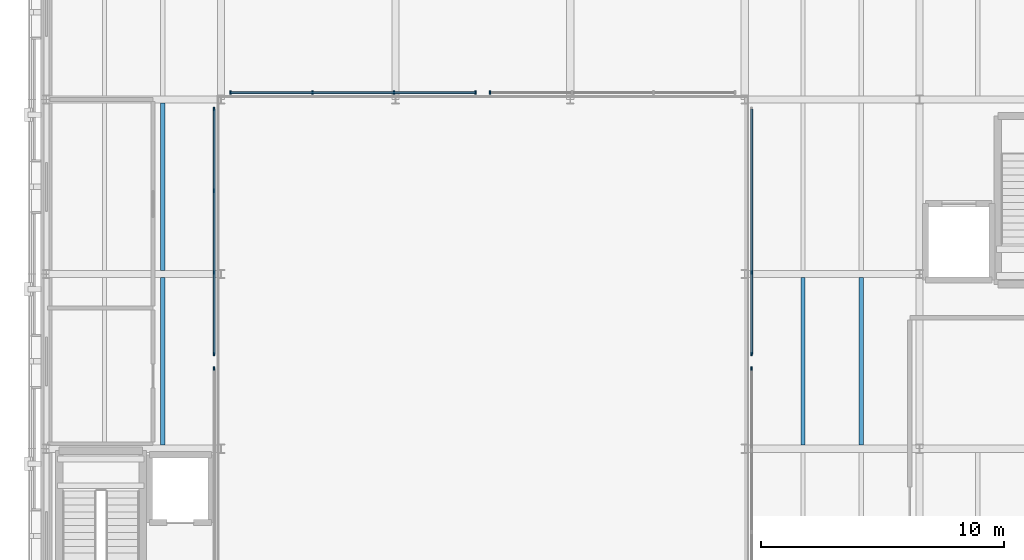
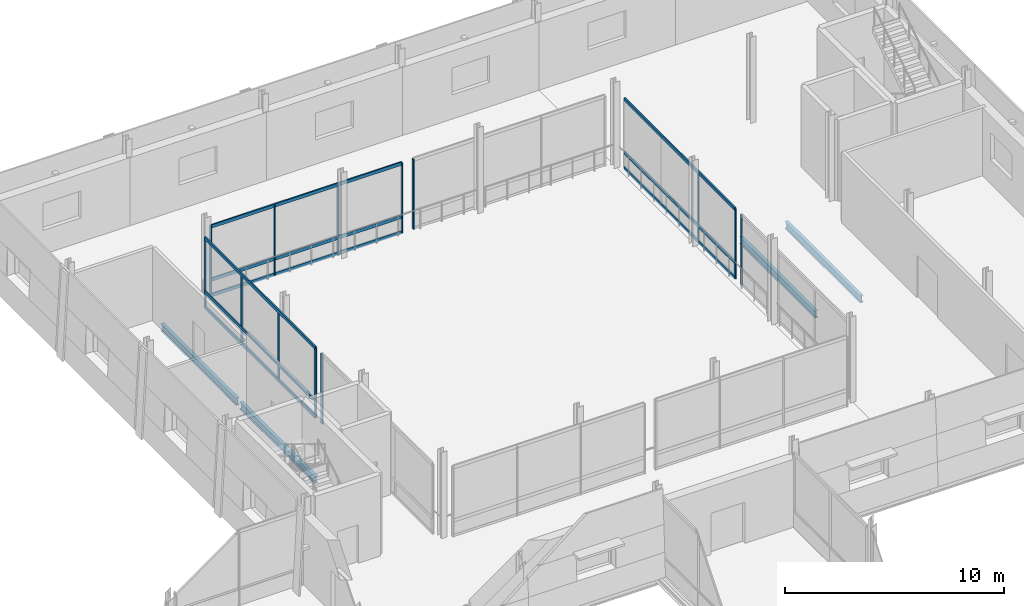
# One storey, part 47 of 121: 22 members, 4 beams, 6 elements without a shape of their own.
"""IFC4 building model written with IfcOpenShell, lengths in metres."""

import ifcopenshell
import ifcopenshell.guid

model = None  # the IFC model being written
_history = None  # IfcOwnerHistory: only IFC2X3 demands one
_inside = {}  # id of a spatial element -> (the spatial element, [elements in it])
_under = {}  # id of a project, library or spatial element -> (it, [spatial elements below it])
_declared = {}  # id of a project -> (the project, [libraries it declares])
_typed = {}  # id of a type object -> (the type object, [elements of that type])
_made_of = {}  # id of a material, layer set ... -> (it, [elements and type objects made of it])


def new_model(schema):
    """Start an empty IFC model of exactly this schema.

    Asked for "IFC4X3", IfcOpenShell would pick the latest addendum, in which some entities
    have other attributes; the version numbers below select the first issue.
    IFC2X3 requires an IfcOwnerHistory on every rooted entity: one is made here for all.
    """
    global model, _history
    if schema == "IFC4X3":
        model = ifcopenshell.file(schema_version=(4, 3, 0, 0))
    else:
        model = ifcopenshell.file(schema=schema)
    _inside.clear()
    _under.clear()
    _declared.clear()
    _typed.clear()
    _made_of.clear()
    _history = None
    if model.schema == "IFC2X3":
        org = make("IfcOrganization", Name="unknown")
        user = make(
            "IfcPersonAndOrganization",
            ThePerson=make("IfcPerson", FamilyName="unknown"),
            TheOrganization=org,
        )
        app = make(
            "IfcApplication",
            ApplicationDeveloper=org,
            Version="unknown",
            ApplicationFullName="unknown",
            ApplicationIdentifier="unknown",
        )
        _history = make(
            "IfcOwnerHistory",
            OwningUser=user,
            OwningApplication=app,
            ChangeAction="ADDED",
            CreationDate=0,
        )
    return model


def make(cls, **values):
    """One entity of the class cls with the attributes given. An attribute that is None is left unset."""
    return model.create_entity(
        cls, **{name: value for name, value in values.items() if value is not None}
    )


def rooted(cls, **values):
    """An entity with a GlobalId (a new one), such as an element, a storey or a relation."""
    return make(cls, GlobalId=ifcopenshell.guid.new(), OwnerHistory=_history, **values)


def si_unit(unit_type, name, prefix=None):
    """IfcSIUnit, for example si_unit("LENGTHUNIT", "METRE", prefix="MILLI")."""
    return make("IfcSIUnit", UnitType=unit_type, Prefix=prefix, Name=name)


def assignment(units):
    """IfcUnitAssignment: the units of a project."""
    return None if units is None else make("IfcUnitAssignment", Units=units)


def point(xyz):
    """IfcCartesianPoint."""
    return None if xyz is None else make("IfcCartesianPoint", Coordinates=xyz)


def direction(xyz):
    """IfcDirection."""
    return None if xyz is None else make("IfcDirection", DirectionRatios=xyz)


def frame(location, z_axis=None, x_axis=None):
    """IfcAxis2Placement3D, a coordinate frame: its origin and axes. An axis left out is left unset."""
    return make(
        "IfcAxis2Placement3D",
        Location=point(location),
        Axis=direction(z_axis),
        RefDirection=direction(x_axis),
    )


def frame_2d(location, x_axis=None):
    """IfcAxis2Placement2D, a coordinate frame in the plane: its origin and x axis."""
    return make(
        "IfcAxis2Placement2D", Location=point(location), RefDirection=direction(x_axis)
    )


def origin():
    """The frame at (0, 0, 0) with its axes left unset."""
    return frame((0.0, 0.0, 0.0))


def origin_2d():
    """The frame at (0, 0) in the plane with its x axis left unset."""
    return frame_2d((0.0, 0.0))


def place(relative_to, where):
    """IfcLocalPlacement: puts the frame where relative to a parent placement (None: the world)."""
    return make(
        "IfcLocalPlacement", PlacementRelTo=relative_to, RelativePlacement=where
    )


def context(
    kind, dimensions, precision=None, world=None, true_north=None, identifier=None
):
    """IfcGeometricRepresentationContext, for example the 3D "Model" context."""
    return make(
        "IfcGeometricRepresentationContext",
        ContextIdentifier=identifier,
        ContextType=kind,
        CoordinateSpaceDimension=dimensions,
        Precision=precision,
        WorldCoordinateSystem=world,
        TrueNorth=true_north,
    )


def subcontext(parent, identifier, kind, view, scale=None):
    """IfcGeometricRepresentationSubContext, for example "Body" below "Model"."""
    return make(
        "IfcGeometricRepresentationSubContext",
        ContextIdentifier=identifier,
        ContextType=kind,
        ParentContext=parent,
        TargetScale=scale,
        TargetView=view,
    )


def project(units=None, contexts=None):
    """IfcProject with its units and contexts."""
    return rooted(
        "IfcProject",
        Name="project",
        RepresentationContexts=contexts,
        UnitsInContext=assignment(units),
    )


def spatial(cls, under=None, at=None, **own):
    """A site, building, storey or space (cls), placed at a placement, below another one or the project."""
    s = rooted(cls, ObjectPlacement=at, **own)
    if under is not None:
        _under.setdefault(under.id(), (under, []))[1].append(s)
    return s


def profile(cls, at=None, kind="AREA", **sizes):
    """A parametric profile (cls). Its sizes go by their IFC names, for example OverallWidth=200.0."""
    return make(cls, ProfileType=kind, Position=at, **sizes)


def rectangle(**sizes):
    """IfcRectangleProfileDef."""
    return profile("IfcRectangleProfileDef", **sizes)


def i_section(**sizes):
    """IfcIShapeProfileDef."""
    return profile("IfcIShapeProfileDef", **sizes)


def extrude(swept, where, along, depth):
    """IfcExtrudedAreaSolid: the profile swept, set in the frame where, extruded along a direction by depth."""
    return make(
        "IfcExtrudedAreaSolid",
        SweptArea=swept,
        Position=where,
        ExtrudedDirection=direction(along),
        Depth=depth,
    )


def shape(context_of_items, identifier, shape_type, items):
    """IfcShapeRepresentation: the items that make up one representation, for example the "Body"."""
    return make(
        "IfcShapeRepresentation",
        ContextOfItems=context_of_items,
        RepresentationIdentifier=identifier,
        RepresentationType=shape_type,
        Items=items,
    )


def material(Name=None, Category=None):
    """IfcMaterial."""
    return make("IfcMaterial", Name=Name, Category=Category)


def layer(
    of_material, thickness, ventilated=None, Name=None, Category=None, Priority=None
):
    """IfcMaterialLayer: one layer of a wall or slab, of a material (None: an air gap)."""
    return make(
        "IfcMaterialLayer",
        Material=of_material,
        LayerThickness=thickness,
        IsVentilated=ventilated,
        Name=Name,
        Category=Category,
        Priority=Priority,
    )


def layer_set(layers, Name=None):
    """IfcMaterialLayerSet."""
    return make("IfcMaterialLayerSet", MaterialLayers=layers, LayerSetName=Name)


def material_profile(
    of_material, cross_section, Name=None, Category=None, Priority=None
):
    """IfcMaterialProfile: a cross section and its material."""
    return make(
        "IfcMaterialProfile",
        Name=Name,
        Material=of_material,
        Profile=cross_section,
        Priority=Priority,
        Category=Category,
    )


def profile_set(profiles, Name=None, composite=None):
    """IfcMaterialProfileSet."""
    return make(
        "IfcMaterialProfileSet",
        Name=Name,
        MaterialProfiles=profiles,
        CompositeProfile=composite,
    )


def made_of(thing, what):
    """Note that an element or type object is made of a material, layer set ...; save() writes the relation."""
    if what is not None:
        _made_of.setdefault(what.id(), (what, []))[1].append(thing)
    return thing


def type_object(cls, material=None, **own):
    """A type object (cls), such as IfcWallType, which elements share."""
    return made_of(rooted(cls, **own), material)


def element(
    cls,
    number,
    at=None,
    inside=None,
    cuts=None,
    type_object=None,
    material=None,
    context=None,
    identifier="Body",
    shape_type=None,
    held_by="IfcProductDefinitionShape",
    body=None,
    shapes=None,
    **own,
):
    """One element of the class cls, such as IfcWall. Its Tag is "e" and its number.

    at: its placement. inside: the storey or other place that contains it. cuts: it is an
    opening in that element (IfcRelVoidsElement). A single representation is given by context,
    identifier, shape_type and body (its items); several are given by shapes. held_by: the class
    of the entity that holds the representations. save() writes the other relations.
    """
    e = rooted(cls, Tag="e%d" % number, ObjectPlacement=at, **own)
    if body is not None:
        shapes = [shape(context, identifier, shape_type, body)]
    if shapes is not None:
        e.Representation = make(held_by, Representations=shapes)
    if inside is not None:
        _inside.setdefault(inside.id(), (inside, []))[1].append(e)
    if cuts is not None:
        rooted(
            "IfcRelVoidsElement", RelatingBuildingElement=cuts, RelatedOpeningElement=e
        )
    if type_object is not None:
        _typed.setdefault(type_object.id(), (type_object, []))[1].append(e)
    return made_of(e, material)


def aggregate(whole, parts):
    """IfcRelAggregates: a whole, such as a stair, and the parts it consists of."""
    return rooted("IfcRelAggregates", RelatingObject=whole, RelatedObjects=parts)


def save(model, path):
    """Write the relations noted so far, then the file.

    IfcRelAggregates (storeys below a building ...), IfcRelContainedInSpatialStructure (elements
    in a storey), IfcRelDefinesByType, IfcRelAssociatesMaterial and IfcRelDeclares: one each for
    every whole, place, type object, material and project.
    """
    for whole, parts in _under.values():
        aggregate(whole, parts)
    for where, things in _inside.values():
        rooted(
            "IfcRelContainedInSpatialStructure",
            RelatedElements=things,
            RelatingStructure=where,
        )
    for kind, things in _typed.values():
        rooted("IfcRelDefinesByType", RelatedObjects=things, RelatingType=kind)
    for what, things in _made_of.values():
        rooted("IfcRelAssociatesMaterial", RelatedObjects=things, RelatingMaterial=what)
    for by, libraries in _declared.values():
        rooted("IfcRelDeclares", RelatingContext=by, RelatedDefinitions=libraries)
    model.write(path)


model = new_model("IFC4")

# Units and contexts
model_context = context("Model", 3, precision=1e-05, world=origin(), true_north=direction((0.0, 1.0)))
body_context = subcontext(model_context, "Body", "Model", "MODEL_VIEW")
ifc_project = project(units=[si_unit("LENGTHUNIT", "METRE"), si_unit("AREAUNIT", "SQUARE_METRE"), si_unit("VOLUMEUNIT", "CUBIC_METRE"), si_unit("PLANEANGLEUNIT", "RADIAN"), si_unit("MASSUNIT", "GRAM", prefix="KILO")], contexts=[model_context])

# Site, building, storey
site_placement = place(None, origin())
site = spatial("IfcSite", under=ifc_project, at=site_placement, CompositionType="ELEMENT")
building_placement = place(site_placement, origin())
building = spatial("IfcBuilding", under=site, at=building_placement, Name="Narikvali Park Central Library", CompositionType="ELEMENT")
storey_placement = place(building_placement, frame((0.0, 0.0, 5.39990234375)))
storey = spatial("IfcBuildingStorey", under=building, at=storey_placement, Name="L01", CompositionType="ELEMENT", Elevation=5.39990234375)

# Beams
ifc_material_1 = material(Name="Steel S355", Category="steel")
ifc_material_profile_1 = material_profile(ifc_material_1, i_section(OverallWidth=0.179931640625, OverallDepth=0.39990234375, WebThickness=0.008544921875, FlangeThickness=0.013427734375, FilletRadius=0.02099609375, at=origin_2d()), Name="IPE 400")
ifc_profile_set_1 = profile_set([ifc_material_profile_1], Name="Steel S355")
beam_type = type_object("IfcBeamType", Name="Composite Floor Joist IPE400", PredefinedType="JOIST", material=ifc_profile_set_1)
beam_1_placement = place(storey_placement, frame((127.199951171875, 93.75, -0.47998046875), z_axis=(0.0, 1.0, 0.0), x_axis=(-1.0, 0.0, 0.0)))
element("IfcBeam", 1, at=beam_1_placement, inside=storey, type_object=beam_type, Name="V3 L01 Composite Joist 2", PredefinedType="JOIST", context=body_context, shape_type="SweptSolid", body=[
    extrude(i_section(OverallWidth=0.179931640625, OverallDepth=0.39990234375, WebThickness=0.008544921875, FlangeThickness=0.013427734375, FilletRadius=0.02099609375, at=origin_2d()), origin(), (0.0, 0.0, 1.0), 6.89990234375),
])
beam_2_placement = place(storey_placement, frame((127.199951171875, 100.949951171875, -0.47998046875), z_axis=(0.0, 1.0, 0.0), x_axis=(-1.0, 0.0, 0.0)))
element("IfcBeam", 2, at=beam_2_placement, inside=storey, type_object=beam_type, Name="V3 L01 Composite Joist 2", PredefinedType="JOIST", context=body_context, shape_type="SweptSolid", body=[
    extrude(i_section(OverallWidth=0.179931640625, OverallDepth=0.39990234375, WebThickness=0.008544921875, FlangeThickness=0.013427734375, FilletRadius=0.02099609375, at=origin_2d()), origin(), (0.0, 0.0, 1.0), 6.900146484375),
])
for number, where, z_axis, x_axis, name in (
    (3, (153.60009765625, 93.75, -0.47998046875), (0.0, 1.0, 0.0), (-1.0, 0.0, 0.0), "V3 L01 Composite Joist 1"),
    (4, (156.0, 93.75, -0.47998046875), (0.0, 1.0, 0.0), (-1.0, 0.0, 0.0), "V3 L01 Composite Joist 2"),
):
    element("IfcBeam", number, at=place(storey_placement, frame(where, z_axis=z_axis, x_axis=x_axis)), inside=storey, type_object=beam_type, Name=name, PredefinedType="JOIST", context=body_context, shape_type="SweptSolid", body=[
        extrude(i_section(OverallWidth=0.179931640625, OverallDepth=0.39990234375, WebThickness=0.008544921875, FlangeThickness=0.013427734375, FilletRadius=0.02099609375, at=origin_2d()), origin(), (0.0, 0.0, 1.0), 6.89990234375),
    ])

# Curtain wall, members
ifc_material_2 = material(Name="Anodised Bronze Aluminium", Category="aluminium")
ifc_layer = layer(ifc_material_2, 0.219970703125, Name="Anodised Bronze Aluminium")
ifc_layer_set = layer_set([ifc_layer], Name="Anodised Bronze Aluminium")
curtain_wall_type = type_object("IfcCurtainWallType", Name="Atrium Tall Curtain Wall System", PredefinedType="NOTDEFINED", material=ifc_layer_set)
curtain_wall_1_placement = place(storey_placement, origin())
curtain_wall_1 = element("IfcCurtainWall", 5, at=curtain_wall_1_placement, inside=storey, type_object=curtain_wall_type, Name="Atrium Tall Curtain Wall System CW-INT-V3-L01-W2", PredefinedType="NOTDEFINED")
ifc_material_profile_2 = material_profile(ifc_material_2, rectangle(XDim=0.074951171875, YDim=0.179931640625, at=origin_2d()), Name="CW TRANSOM 75x180")
ifc_profile_set_2 = profile_set([ifc_material_profile_2], Name="Anodised Bronze Aluminium")
member_type_1 = type_object("IfcMemberType", Name="Curtain Wall Heavy Transom 75x180", PredefinedType="USERDEFINED", material=ifc_profile_set_2)
member_1_placement = place(storey_placement, frame((129.320068359375, 97.5, 0.030029296875), z_axis=(0.0, 1.0, 0.0), x_axis=(-1.0, 0.0, 0.0)))
member_1 = element("IfcMember", 6, at=member_1_placement, type_object=member_type_1, Name="CW-INT-V3-L01-W2 Transom 00", ObjectType="TRANSOM", PredefinedType="USERDEFINED", context=body_context, shape_type="SweptSolid", body=[
    extrude(rectangle(XDim=0.074951171875, YDim=0.179931640625, at=origin_2d()), origin(), (0.0, 0.0, 1.0), 10.10009765625),
])
member_2_placement = place(storey_placement, frame((129.320068359375, 97.5, 0.900146484375), z_axis=(0.0, 1.0, 0.0), x_axis=(-1.0, 0.0, 0.0)))
member_2 = element("IfcMember", 7, at=member_2_placement, type_object=member_type_1, Name="CW-INT-V3-L01-W2 Transom 01", ObjectType="TRANSOM", PredefinedType="USERDEFINED", context=body_context, shape_type="SweptSolid", body=[
    extrude(rectangle(XDim=0.074951171875, YDim=0.179931640625, at=origin_2d()), origin(), (0.0, 0.0, 1.0), 10.10009765625),
])
member_3_placement = place(storey_placement, frame((129.320068359375, 97.5, 3.8701171875), z_axis=(0.0, 1.0, 0.0), x_axis=(-1.0, 0.0, 0.0)))
member_3 = element("IfcMember", 8, at=member_3_placement, type_object=member_type_1, Name="CW-INT-V3-L01-W2 Transom 02", ObjectType="TRANSOM", PredefinedType="USERDEFINED", context=body_context, shape_type="SweptSolid", body=[
    extrude(rectangle(XDim=0.074951171875, YDim=0.179931640625, at=origin_2d()), origin(), (0.0, 0.0, 1.0), 10.10009765625),
])

curtain_wall_2_placement = place(storey_placement, origin())
curtain_wall_2 = element("IfcCurtainWall", 9, at=curtain_wall_2_placement, inside=storey, type_object=curtain_wall_type, Name="Atrium Tall Curtain Wall System CW-INT-V3-L01-E2", PredefinedType="NOTDEFINED")
member_4_placement = place(storey_placement, frame((151.47998046875, 97.5, 0.030029296875), z_axis=(0.0, 1.0, 0.0), x_axis=(-1.0, 0.0, 0.0)))
member_4 = element("IfcMember", 10, at=member_4_placement, type_object=member_type_1, Name="CW-INT-V3-L01-E2 Transom 00", ObjectType="TRANSOM", PredefinedType="USERDEFINED", context=body_context, shape_type="SweptSolid", body=[
    extrude(rectangle(XDim=0.074951171875, YDim=0.179931640625, at=origin_2d()), origin(), (0.0, 0.0, 1.0), 10.10009765625),
])
member_5_placement = place(storey_placement, frame((151.47998046875, 97.5, 0.900146484375), z_axis=(0.0, 1.0, 0.0), x_axis=(-1.0, 0.0, 0.0)))
member_5 = element("IfcMember", 11, at=member_5_placement, type_object=member_type_1, Name="CW-INT-V3-L01-E2 Transom 01", ObjectType="TRANSOM", PredefinedType="USERDEFINED", context=body_context, shape_type="SweptSolid", body=[
    extrude(rectangle(XDim=0.074951171875, YDim=0.179931640625, at=origin_2d()), origin(), (0.0, 0.0, 1.0), 10.10009765625),
])
member_6_placement = place(storey_placement, frame((151.47998046875, 97.5, 3.8701171875), z_axis=(0.0, 1.0, 0.0), x_axis=(-1.0, 0.0, 0.0)))
member_6 = element("IfcMember", 12, at=member_6_placement, type_object=member_type_1, Name="CW-INT-V3-L01-E2 Transom 02", ObjectType="TRANSOM", PredefinedType="USERDEFINED", context=body_context, shape_type="SweptSolid", body=[
    extrude(rectangle(XDim=0.074951171875, YDim=0.179931640625, at=origin_2d()), origin(), (0.0, 0.0, 1.0), 10.10009765625),
])

curtain_wall_3_placement = place(storey_placement, origin())
curtain_wall_3 = element("IfcCurtainWall", 13, at=curtain_wall_3_placement, inside=storey, type_object=curtain_wall_type, Name="Atrium Tall Curtain Wall System CW-INT-V3-L01-N1", PredefinedType="NOTDEFINED")
member_7_placement = place(storey_placement, frame((130.0, 108.280029296875, 0.030029296875), z_axis=(1.0, 0.0, 0.0), x_axis=(0.0, 1.0, 0.0)))
member_7 = element("IfcMember", 14, at=member_7_placement, type_object=member_type_1, Name="CW-INT-V3-L01-N1 Transom 00", ObjectType="TRANSOM", PredefinedType="USERDEFINED", context=body_context, shape_type="SweptSolid", body=[
    extrude(rectangle(XDim=0.074951171875, YDim=0.179931640625, at=origin_2d()), origin(), (0.0, 0.0, 1.0), 10.10009765625),
])
member_8_placement = place(storey_placement, frame((130.0, 108.280029296875, 0.900146484375), z_axis=(1.0, 0.0, 0.0), x_axis=(0.0, 1.0, 0.0)))
member_8 = element("IfcMember", 15, at=member_8_placement, type_object=member_type_1, Name="CW-INT-V3-L01-N1 Transom 01", ObjectType="TRANSOM", PredefinedType="USERDEFINED", context=body_context, shape_type="SweptSolid", body=[
    extrude(rectangle(XDim=0.074951171875, YDim=0.179931640625, at=origin_2d()), origin(), (0.0, 0.0, 1.0), 10.10009765625),
])
member_9_placement = place(storey_placement, frame((130.0, 108.280029296875, 3.8701171875), z_axis=(1.0, 0.0, 0.0), x_axis=(0.0, 1.0, 0.0)))
member_9 = element("IfcMember", 16, at=member_9_placement, type_object=member_type_1, Name="CW-INT-V3-L01-N1 Transom 02", ObjectType="TRANSOM", PredefinedType="USERDEFINED", context=body_context, shape_type="SweptSolid", body=[
    extrude(rectangle(XDim=0.074951171875, YDim=0.179931640625, at=origin_2d()), origin(), (0.0, 0.0, 1.0), 10.10009765625),
])

# Curtain wall, member
curtain_wall_4_placement = place(storey_placement, origin())
curtain_wall_4 = element("IfcCurtainWall", 17, at=curtain_wall_4_placement, inside=storey, type_object=curtain_wall_type, Name="Atrium Tall Curtain Wall System CW-INT-V3-L01-W1", PredefinedType="NOTDEFINED")
ifc_material_profile_3 = material_profile(ifc_material_2, rectangle(XDim=0.06005859375, YDim=0.14990234375, at=origin_2d()), Name="CW MULLION 60x150")
ifc_profile_set_3 = profile_set([ifc_material_profile_3], Name="Anodised Bronze Aluminium")
member_type_2 = type_object("IfcMemberType", Name="Curtain Wall Mullion 60x150", PredefinedType="MULLION", material=ifc_profile_set_3)
member_10_placement = place(storey_placement, frame((129.320068359375, 96.89990234375, -0.010009765625), z_axis=(0.0, 0.0, 1.0), x_axis=(1.0, 0.0, 0.0)))
member_10 = element("IfcMember", 18, at=member_10_placement, type_object=member_type_2, Name="CW-INT-V3-L01-W1 Mullion 03", PredefinedType="MULLION", context=body_context, shape_type="SweptSolid", body=[
    extrude(rectangle(XDim=0.06005859375, YDim=0.14990234375, at=origin_2d()), origin(), (0.0, 0.0, 1.0), 3.91015625),
])
aggregate(curtain_wall_4, [member_10])

# Member
member_11_placement = place(storey_placement, frame((129.320068359375, 97.5, -0.010009765625), z_axis=(0.0, 0.0, 1.0), x_axis=(1.0, 0.0, 0.0)))
member_11 = element("IfcMember", 19, at=member_11_placement, type_object=member_type_2, Name="CW-INT-V3-L01-W2 Mullion 00", PredefinedType="MULLION", context=body_context, shape_type="SweptSolid", body=[
    extrude(rectangle(XDim=0.06005859375, YDim=0.14990234375, at=origin_2d()), origin(), (0.0, 0.0, 1.0), 3.91015625),
])

member_12_placement = place(storey_placement, frame((129.320068359375, 100.86669921875, -0.010009765625), z_axis=(0.0, 0.0, 1.0), x_axis=(1.0, 0.0, 0.0)))
member_12 = element("IfcMember", 20, at=member_12_placement, type_object=member_type_2, Name="CW-INT-V3-L01-W2 Mullion 01", PredefinedType="MULLION", context=body_context, shape_type="SweptSolid", body=[
    extrude(rectangle(XDim=0.06005859375, YDim=0.14990234375, at=origin_2d()), origin(), (0.0, 0.0, 1.0), 3.91015625),
])

member_13_placement = place(storey_placement, frame((129.320068359375, 104.2333984375, -0.010009765625), z_axis=(0.0, 0.0, 1.0), x_axis=(1.0, 0.0, 0.0)))
member_13 = element("IfcMember", 21, at=member_13_placement, type_object=member_type_2, Name="CW-INT-V3-L01-W2 Mullion 02", PredefinedType="MULLION", context=body_context, shape_type="SweptSolid", body=[
    extrude(rectangle(XDim=0.06005859375, YDim=0.14990234375, at=origin_2d()), origin(), (0.0, 0.0, 1.0), 3.91015625),
])

member_14_placement = place(storey_placement, frame((129.320068359375, 107.60009765625, -0.010009765625), z_axis=(0.0, 0.0, 1.0), x_axis=(1.0, 0.0, 0.0)))
member_14 = element("IfcMember", 22, at=member_14_placement, type_object=member_type_2, Name="CW-INT-V3-L01-W2 Mullion 03", PredefinedType="MULLION", context=body_context, shape_type="SweptSolid", body=[
    extrude(rectangle(XDim=0.06005859375, YDim=0.14990234375, at=origin_2d()), origin(), (0.0, 0.0, 1.0), 3.91015625),
])

aggregate(curtain_wall_1, [member_11, member_12, member_13, member_14, member_1, member_2, member_3])

# Curtain wall, member
curtain_wall_5_placement = place(storey_placement, origin())
curtain_wall_5 = element("IfcCurtainWall", 23, at=curtain_wall_5_placement, inside=storey, type_object=curtain_wall_type, Name="Atrium Tall Curtain Wall System CW-INT-V3-L01-E1", PredefinedType="NOTDEFINED")
member_15_placement = place(storey_placement, frame((151.47998046875, 96.89990234375, -0.010009765625), z_axis=(0.0, 0.0, 1.0), x_axis=(1.0, 0.0, 0.0)))
member_15 = element("IfcMember", 24, at=member_15_placement, type_object=member_type_2, Name="CW-INT-V3-L01-E1 Mullion 03", PredefinedType="MULLION", context=body_context, shape_type="SweptSolid", body=[
    extrude(rectangle(XDim=0.06005859375, YDim=0.14990234375, at=origin_2d()), origin(), (0.0, 0.0, 1.0), 3.91015625),
])
aggregate(curtain_wall_5, [member_15])

# Member
member_16_placement = place(storey_placement, frame((151.47998046875, 97.5, -0.010009765625), z_axis=(0.0, 0.0, 1.0), x_axis=(1.0, 0.0, 0.0)))
member_16 = element("IfcMember", 25, at=member_16_placement, type_object=member_type_2, Name="CW-INT-V3-L01-E2 Mullion 00", PredefinedType="MULLION", context=body_context, shape_type="SweptSolid", body=[
    extrude(rectangle(XDim=0.06005859375, YDim=0.14990234375, at=origin_2d()), origin(), (0.0, 0.0, 1.0), 3.91015625),
])

member_17_placement = place(storey_placement, frame((151.47998046875, 100.86669921875, -0.010009765625), z_axis=(0.0, 0.0, 1.0), x_axis=(1.0, 0.0, 0.0)))
member_17 = element("IfcMember", 26, at=member_17_placement, type_object=member_type_2, Name="CW-INT-V3-L01-E2 Mullion 01", PredefinedType="MULLION", context=body_context, shape_type="SweptSolid", body=[
    extrude(rectangle(XDim=0.06005859375, YDim=0.14990234375, at=origin_2d()), origin(), (0.0, 0.0, 1.0), 3.91015625),
])

aggregate(curtain_wall_2, [member_16, member_17, member_4, member_5, member_6])

member_18_placement = place(storey_placement, frame((130.0, 108.280029296875, -0.010009765625), z_axis=(0.0, 0.0, 1.0), x_axis=(1.0, 0.0, 0.0)))
member_18 = element("IfcMember", 27, at=member_18_placement, type_object=member_type_2, Name="CW-INT-V3-L01-N1 Mullion 00", PredefinedType="MULLION", context=body_context, shape_type="SweptSolid", body=[
    extrude(rectangle(XDim=0.06005859375, YDim=0.14990234375, at=origin_2d()), origin(), (0.0, 0.0, 1.0), 3.91015625),
])

member_19_placement = place(storey_placement, frame((133.36669921875, 108.280029296875, -0.010009765625), z_axis=(0.0, 0.0, 1.0), x_axis=(1.0, 0.0, 0.0)))
member_19 = element("IfcMember", 28, at=member_19_placement, type_object=member_type_2, Name="CW-INT-V3-L01-N1 Mullion 01", PredefinedType="MULLION", context=body_context, shape_type="SweptSolid", body=[
    extrude(rectangle(XDim=0.06005859375, YDim=0.14990234375, at=origin_2d()), origin(), (0.0, 0.0, 1.0), 3.91015625),
])

member_20_placement = place(storey_placement, frame((136.7333984375, 108.280029296875, -0.010009765625), z_axis=(0.0, 0.0, 1.0), x_axis=(1.0, 0.0, 0.0)))
member_20 = element("IfcMember", 29, at=member_20_placement, type_object=member_type_2, Name="CW-INT-V3-L01-N1 Mullion 02", PredefinedType="MULLION", context=body_context, shape_type="SweptSolid", body=[
    extrude(rectangle(XDim=0.06005859375, YDim=0.14990234375, at=origin_2d()), origin(), (0.0, 0.0, 1.0), 3.91015625),
])

member_21_placement = place(storey_placement, frame((140.10009765625, 108.280029296875, -0.010009765625), z_axis=(0.0, 0.0, 1.0), x_axis=(1.0, 0.0, 0.0)))
member_21 = element("IfcMember", 30, at=member_21_placement, type_object=member_type_2, Name="CW-INT-V3-L01-N1 Mullion 03", PredefinedType="MULLION", context=body_context, shape_type="SweptSolid", body=[
    extrude(rectangle(XDim=0.06005859375, YDim=0.14990234375, at=origin_2d()), origin(), (0.0, 0.0, 1.0), 3.91015625),
])

aggregate(curtain_wall_3, [member_18, member_19, member_20, member_21, member_7, member_8, member_9])

# Curtain wall, member
curtain_wall_6_placement = place(storey_placement, origin())
curtain_wall_6 = element("IfcCurtainWall", 31, at=curtain_wall_6_placement, inside=storey, type_object=curtain_wall_type, Name="Atrium Tall Curtain Wall System CW-INT-V3-L01-N2", PredefinedType="NOTDEFINED")
member_22_placement = place(storey_placement, frame((140.699951171875, 108.280029296875, -0.010009765625), z_axis=(0.0, 0.0, 1.0), x_axis=(1.0, 0.0, 0.0)))
member_22 = element("IfcMember", 32, at=member_22_placement, type_object=member_type_2, Name="CW-INT-V3-L01-N2 Mullion 00", PredefinedType="MULLION", context=body_context, shape_type="SweptSolid", body=[
    extrude(rectangle(XDim=0.06005859375, YDim=0.14990234375, at=origin_2d()), origin(), (0.0, 0.0, 1.0), 3.91015625),
])
aggregate(curtain_wall_6, [member_22])

save(model, "model.ifc")
